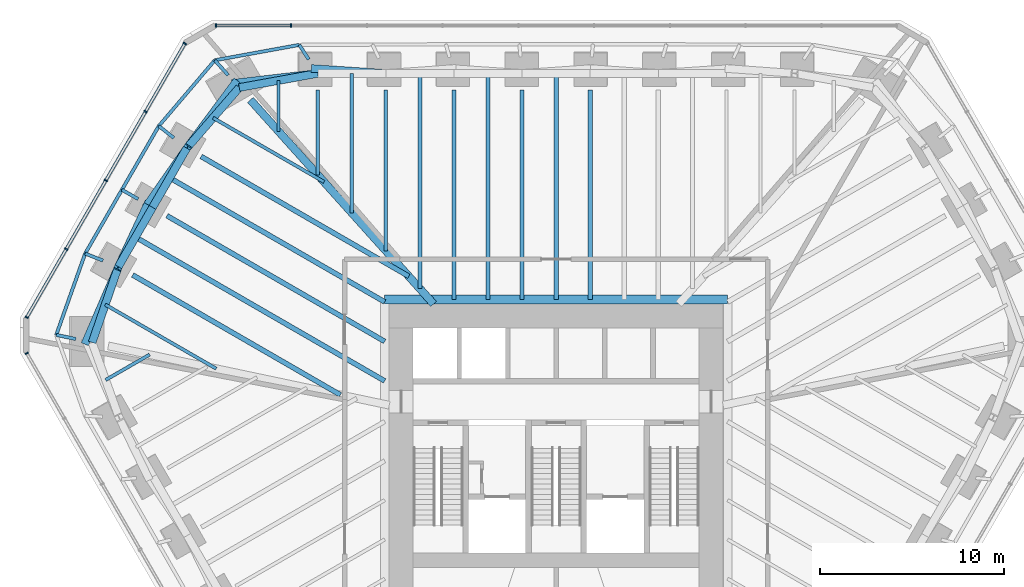
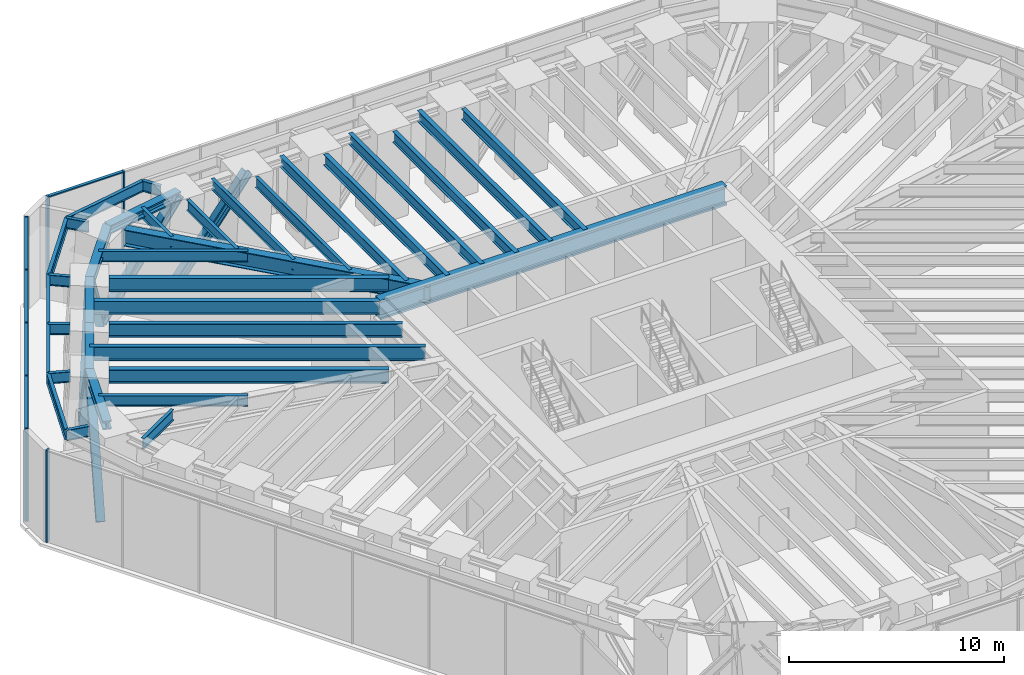
# One storey, part 6 of 12: 36 beams, 19 members, 3 elements without a shape of their own.
"""IFC4 building model written with IfcOpenShell, lengths in metres."""

from ifc_helpers import new_model, si_unit, direction, frame, origin, origin_2d, place, context, subcontext, project, spatial, rectangle, i_section, extrude, material, material_profile, profile_set, type_object, element, aggregate, save


model = new_model("IFC4")

# Units and contexts
model_context = context("Model", 3, precision=1e-05, world=origin(), true_north=direction((0.0, 1.0)))
body_context = subcontext(model_context, "Body", "Model", "MODEL_VIEW")
ifc_project = project(units=[si_unit("LENGTHUNIT", "METRE"), si_unit("AREAUNIT", "SQUARE_METRE"), si_unit("VOLUMEUNIT", "CUBIC_METRE"), si_unit("PLANEANGLEUNIT", "RADIAN"), si_unit("MASSUNIT", "GRAM", prefix="KILO")], contexts=[model_context])

# Site, building, storey
site_placement = place(None, origin())
site = spatial("IfcSite", under=ifc_project, at=site_placement, CompositionType="ELEMENT")
building_placement = place(site_placement, origin())
building = spatial("IfcBuilding", under=site, at=building_placement, Name="Sandreach Pilgrim Tower", CompositionType="ELEMENT")
storey_placement = place(building_placement, frame((0.0, 0.0, 172.800048828125)))
storey = spatial("IfcBuildingStorey", under=building, at=storey_placement, Name="L43", CompositionType="ELEMENT", Elevation=172.800048828125)

# Beams
ifc_material_1 = material(Name="Steel ASTM A913 Grade 65", Category="steel")
ifc_material_profile_1 = material_profile(ifc_material_1, i_section(OverallWidth=0.4267578125, OverallDepth=0.482666015625, WebThickness=0.05126953125, FlangeThickness=0.08154296875, at=origin_2d()), Name="W14X455")
ifc_profile_set_1 = profile_set([ifc_material_profile_1], Name="Steel ASTM A913 Grade 65")
beam_type_1 = type_object("IfcBeamType", Name="Belt truss chord W14X455", PredefinedType="BEAM", material=ifc_profile_set_1)
beam_1_placement = place(storey_placement, frame((-25.156494140625, 5.311279296875, 4.99853515625), z_axis=(0.326940800053, 0.945044820768, 0.0), x_axis=(-0.945044820768, 0.326940800053, 0.0)))
element("IfcBeam", 1, at=beam_1_placement, inside=storey, type_object=beam_type_1, Name="BM L43 BTT35", PredefinedType="BEAM", context=body_context, shape_type="SweptSolid", body=[
    extrude(i_section(OverallWidth=0.4267578125, OverallDepth=0.482666015625, WebThickness=0.05126953125, FlangeThickness=0.08154296875, at=origin_2d()), origin(), (0.0, 0.0, 1.0), 4.3466796875),
])
for number, where, z_axis, x_axis, name in (
    (2, (-23.7353515625, 9.419189453125, 4.99853515625), (0.499946491854, 0.866056294523, 0.0), (-0.866056294523, 0.499946491854, 0.0), "BM L43 BTT36"),
    (3, (-21.88037109375, 12.632568359375, 4.99853515625), (0.499995842751, 0.86602780396, 0.0), (-0.86602780396, 0.499995842751, 0.0), "BM L43 BTT37"),
):
    element("IfcBeam", number, at=place(storey_placement, frame(where, z_axis=z_axis, x_axis=x_axis)), inside=storey, type_object=beam_type_1, Name=name, PredefinedType="BEAM", context=body_context, shape_type="SweptSolid", body=[
        extrude(i_section(OverallWidth=0.4267578125, OverallDepth=0.482666015625, WebThickness=0.05126953125, FlangeThickness=0.08154296875, at=origin_2d()), origin(), (0.0, 0.0, 1.0), 3.71044921875),
    ])
beam_2_placement = place(storey_placement, frame((-20.025146484375, 15.845947265625, 4.99853515625), z_axis=(0.65499040715, 0.755637192402, 0.0), x_axis=(-0.755637192402, 0.65499040715, 0.0)))
element("IfcBeam", 4, at=beam_2_placement, inside=storey, type_object=beam_type_1, Name="BM L43 BTT38", PredefinedType="BEAM", context=body_context, shape_type="SweptSolid", body=[
    extrude(i_section(OverallWidth=0.4267578125, OverallDepth=0.482666015625, WebThickness=0.05126953125, FlangeThickness=0.08154296875, at=origin_2d()), origin(), (0.0, 0.0, 1.0), 4.346923828125),
])
beam_3_placement = place(storey_placement, frame((-17.177978515625, 19.130615234375, 4.99853515625), z_axis=(0.984030345637, 0.178000783326, 0.0), x_axis=(-0.178000783326, 0.984030345637, 0.0)))
element("IfcBeam", 5, at=beam_3_placement, inside=storey, type_object=beam_type_1, Name="BM L43 BTT39", PredefinedType="BEAM", context=body_context, shape_type="SweptSolid", body=[
    extrude(i_section(OverallWidth=0.4267578125, OverallDepth=0.482666015625, WebThickness=0.05126953125, FlangeThickness=0.08154296875, at=origin_2d()), origin(), (0.0, 0.0, 1.0), 4.3232421875),
])

# Members
ifc_material_2 = material(Name="Steel ASTM A913 Grade 65", Category="steel")
ifc_material_profile_2 = material_profile(ifc_material_2, i_section(OverallWidth=0.419189453125, OverallDepth=0.45458984375, WebThickness=0.042236328125, FlangeThickness=0.067626953125, at=origin_2d()), Name="W14X370")
ifc_profile_set_2 = profile_set([ifc_material_profile_2], Name="Steel ASTM A913 Grade 65")
member_type_1 = type_object("IfcMemberType", Name="Belt truss diagonal W14X370", PredefinedType="BRACE", material=ifc_profile_set_2)
member_1_placement = place(storey_placement, frame((-13.089599609375, 20.155517578125, -0.4013671875), z_axis=(0.580940509165, -0.038449998265, 0.813037343819), x_axis=(0.066041285014, 0.997816891355, 0.0)))
element("IfcMember", 6, at=member_1_placement, inside=storey, type_object=member_type_1, Name="Belt truss diagonal L43 bay 01", PredefinedType="BRACE", context=body_context, shape_type="SweptSolid", body=[
    extrude(i_section(OverallWidth=0.419189453125, OverallDepth=0.45458984375, WebThickness=0.042236328125, FlangeThickness=0.067626953125, at=origin_2d()), origin(), (0.0, 0.0, 1.0), 6.6416015625),
])
member_2_placement = place(storey_placement, frame((-25.482177734375, 5.380126953125, -0.4013671875), z_axis=(0.250766618955, 0.579829901327, 0.775186034668), x_axis=(-0.91784010131, 0.396950309772, 0.0)))
element("IfcMember", 7, at=member_2_placement, inside=storey, type_object=member_type_1, Name="Belt truss diagonal L43 bay 35", PredefinedType="BRACE", context=body_context, shape_type="SweptSolid", body=[
    extrude(i_section(OverallWidth=0.419189453125, OverallDepth=0.45458984375, WebThickness=0.042236328125, FlangeThickness=0.067626953125, at=origin_2d()), origin(), (0.0, 0.0, 1.0), 6.966064453125),
])
for number, where, z_axis, x_axis, name in (
    (8, (-23.7353515625, 9.419189453125, 4.99853515625), (0.240656779722, 0.514214981232, -0.823205483127), (-0.905717002036, 0.423882899187, 0.0), "Belt truss diagonal L43 bay 36"),
    (9, (-22.15673828125, 12.792236328125, -0.4013671875), (0.324959751213, 0.465536200684, 0.823211519565), (-0.819988852608, 0.572379490896, 0.0), "Belt truss diagonal L43 bay 37"),
):
    element("IfcMember", number, at=place(storey_placement, frame(where, z_axis=z_axis, x_axis=x_axis)), inside=storey, type_object=member_type_1, Name=name, PredefinedType="BRACE", context=body_context, shape_type="SweptSolid", body=[
        extrude(i_section(OverallWidth=0.419189453125, OverallDepth=0.45458984375, WebThickness=0.042236328125, FlangeThickness=0.067626953125, at=origin_2d()), origin(), (0.0, 0.0, 1.0), 6.5595703125),
    ])
member_3_placement = place(storey_placement, frame((-20.025146484375, 15.845947265625, 4.99853515625), z_axis=(0.376796214159, 0.50706795893, -0.775181719354), x_axis=(-0.802655062656, 0.596443501425, 0.0)))
element("IfcMember", 10, at=member_3_placement, inside=storey, type_object=member_type_1, Name="Belt truss diagonal L43 bay 38", PredefinedType="BRACE", context=body_context, shape_type="SweptSolid", body=[
    extrude(i_section(OverallWidth=0.419189453125, OverallDepth=0.45458984375, WebThickness=0.042236328125, FlangeThickness=0.067626953125, at=origin_2d()), origin(), (0.0, 0.0, 1.0), 6.966064453125),
])
member_4_placement = place(storey_placement, frame((-17.400390625, 19.378173828125, -0.4013671875), z_axis=(0.636457271189, 0.074211695343, 0.767733525532), x_axis=(-0.115816567601, 0.993270619051, 0.0)))
element("IfcMember", 11, at=member_4_placement, inside=storey, type_object=member_type_1, Name="Belt truss diagonal L43 bay 39", PredefinedType="BRACE", context=body_context, shape_type="SweptSolid", body=[
    extrude(i_section(OverallWidth=0.419189453125, OverallDepth=0.45458984375, WebThickness=0.042236328125, FlangeThickness=0.067626953125, at=origin_2d()), origin(), (0.0, 0.0, 1.0), 7.033447265625),
])

# Curtain wall, members
ifc_material_3 = material(Name="Aluminium framed curtain wall", Category="aluminium")
curtain_wall_type = type_object("IfcCurtainWallType", Name="Plant storey louvred curtain wall", PredefinedType="NOTDEFINED", material=ifc_material_3)
curtain_wall_1_placement = place(storey_placement, origin())
curtain_wall_1 = element("IfcCurtainWall", 12, at=curtain_wall_1_placement, inside=storey, type_object=curtain_wall_type, Name="CW-L L43 N", PredefinedType="NOTDEFINED")
ifc_material_4 = material(Name="Aluminium extrusion", Category="aluminium")
ifc_material_profile_3 = material_profile(ifc_material_4, rectangle(XDim=0.080078125, YDim=0.199951171875, at=origin_2d()), Name="CW-LM 80X200")
ifc_profile_set_3 = profile_set([ifc_material_profile_3], Name="Aluminium extrusion")
member_type_2 = type_object("IfcMemberType", Name="CW-L mullion", PredefinedType="MULLION", material=ifc_profile_set_3)
member_5_placement = place(storey_placement, frame((-18.44140625, 22.493896484375, 0.0), z_axis=(0.0, 0.0, 1.0), x_axis=(1.0, 0.0, 0.0)))
member_5 = element("IfcMember", 13, at=member_5_placement, type_object=member_type_2, Name="CW-L mullion 1", PredefinedType="MULLION", context=body_context, shape_type="SweptSolid", body=[
    extrude(rectangle(XDim=0.080078125, YDim=0.199951171875, at=origin_2d()), origin(), (0.0, 0.0, 1.0), 5.239990234375),
])
member_6_placement = place(storey_placement, frame((-14.37451171875, 22.493896484375, 0.0), z_axis=(0.0, 0.0, 1.0), x_axis=(1.0, 0.0, 0.0)))
member_6 = element("IfcMember", 14, at=member_6_placement, type_object=member_type_2, Name="CW-L mullion 2", PredefinedType="MULLION", context=body_context, shape_type="SweptSolid", body=[
    extrude(rectangle(XDim=0.080078125, YDim=0.199951171875, at=origin_2d()), origin(), (0.0, 0.0, 1.0), 5.239990234375),
])

# Curtain wall, member
curtain_wall_2_placement = place(storey_placement, origin())
curtain_wall_2 = element("IfcCurtainWall", 15, at=curtain_wall_2_placement, inside=storey, type_object=curtain_wall_type, Name="CW-L L43 SW", PredefinedType="NOTDEFINED")
member_7_placement = place(storey_placement, frame((-28.700927734375, 4.723876953125, 0.0), z_axis=(0.0, 0.0, 1.0), x_axis=(-0.5, 0.866025403784, 0.0)))
member_7 = element("IfcMember", 16, at=member_7_placement, type_object=member_type_2, Name="CW-L mullion 10", PredefinedType="MULLION", context=body_context, shape_type="SweptSolid", body=[
    extrude(rectangle(XDim=0.080078125, YDim=0.199951171875, at=origin_2d()), origin(), (0.0, 0.0, 1.0), 5.239990234375),
])
aggregate(curtain_wall_2, [member_7])

# Curtain wall, members
curtain_wall_3_placement = place(storey_placement, origin())
curtain_wall_3 = element("IfcCurtainWall", 17, at=curtain_wall_3_placement, inside=storey, type_object=curtain_wall_type, Name="CW-L L43 NW", PredefinedType="NOTDEFINED")
member_8_placement = place(storey_placement, frame((-28.700927734375, 6.673095703125, 0.0), z_axis=(0.0, 0.0, 1.0), x_axis=(0.5, 0.866025403784, 0.0)))
member_8 = element("IfcMember", 18, at=member_8_placement, type_object=member_type_2, Name="CW-L mullion 1", PredefinedType="MULLION", context=body_context, shape_type="SweptSolid", body=[
    extrude(rectangle(XDim=0.080078125, YDim=0.199951171875, at=origin_2d()), origin(), (0.0, 0.0, 1.0), 5.239990234375),
])
member_9_placement = place(storey_placement, frame((-26.568115234375, 10.3671875, 0.0), z_axis=(0.0, 0.0, 1.0), x_axis=(0.5, 0.866025403784, 0.0)))
member_9 = element("IfcMember", 19, at=member_9_placement, type_object=member_type_2, Name="CW-L mullion 2", PredefinedType="MULLION", context=body_context, shape_type="SweptSolid", body=[
    extrude(rectangle(XDim=0.080078125, YDim=0.199951171875, at=origin_2d()), origin(), (0.0, 0.0, 1.0), 5.239990234375),
])
member_10_placement = place(storey_placement, frame((-24.415283203125, 14.09619140625, 0.0), z_axis=(0.0, 0.0, 1.0), x_axis=(0.5, 0.866025403784, 0.0)))
member_10 = element("IfcMember", 20, at=member_10_placement, type_object=member_type_2, Name="CW-L mullion 3", PredefinedType="MULLION", context=body_context, shape_type="SweptSolid", body=[
    extrude(rectangle(XDim=0.080078125, YDim=0.199951171875, at=origin_2d()), origin(), (0.0, 0.0, 1.0), 5.239990234375),
])
member_11_placement = place(storey_placement, frame((-22.262451171875, 17.824951171875, 0.0), z_axis=(0.0, 0.0, 1.0), x_axis=(0.5, 0.866025403784, 0.0)))
member_11 = element("IfcMember", 21, at=member_11_placement, type_object=member_type_2, Name="CW-L mullion 4", PredefinedType="MULLION", context=body_context, shape_type="SweptSolid", body=[
    extrude(rectangle(XDim=0.080078125, YDim=0.199951171875, at=origin_2d()), origin(), (0.0, 0.0, 1.0), 5.239990234375),
])
member_12_placement = place(storey_placement, frame((-20.12939453125, 21.51904296875, 0.0), z_axis=(0.0, 0.0, 1.0), x_axis=(0.5, 0.866025403784, 0.0)))
member_12 = element("IfcMember", 22, at=member_12_placement, type_object=member_type_2, Name="CW-L mullion 5", PredefinedType="MULLION", context=body_context, shape_type="SweptSolid", body=[
    extrude(rectangle(XDim=0.080078125, YDim=0.199951171875, at=origin_2d()), origin(), (0.0, 0.0, 1.0), 5.239990234375),
])

# Member
ifc_material_5 = material(Name="Aluminium extrusion", Category="aluminium")
ifc_material_profile_4 = material_profile(ifc_material_5, rectangle(XDim=0.159912109375, YDim=0.070068359375, at=origin_2d()), Name="CW-LT 160X70")
ifc_profile_set_4 = profile_set([ifc_material_profile_4], Name="Aluminium extrusion")
member_type_3 = type_object("IfcMemberType", Name="CW-L transom", PredefinedType="USERDEFINED", material=ifc_profile_set_4)
member_13_placement = place(storey_placement, frame((-18.4013671875, 22.493896484375, 5.204833984375), z_axis=(1.0, 0.0, 0.0), x_axis=(0.0, 1.0, 0.0)))
member_13 = element("IfcMember", 23, at=member_13_placement, type_object=member_type_3, Name="CW-L head transom 1", ObjectType="TRANSOM", PredefinedType="USERDEFINED", context=body_context, shape_type="SweptSolid", body=[
    extrude(rectangle(XDim=0.159912109375, YDim=0.070068359375, at=origin_2d()), origin(), (0.0, 0.0, 1.0), 3.987060546875),
])

aggregate(curtain_wall_1, [member_5, member_6, member_13])

member_14_placement = place(storey_placement, frame((-28.680908203125, 6.707763671875, 5.204833984375), z_axis=(0.500003523994, 0.866023369196, 0.0), x_axis=(-0.866023369196, 0.500003523994, 0.0)))
member_14 = element("IfcMember", 24, at=member_14_placement, type_object=member_type_3, Name="CW-L head transom 1", ObjectType="TRANSOM", PredefinedType="USERDEFINED", context=body_context, shape_type="SweptSolid", body=[
    extrude(rectangle(XDim=0.159912109375, YDim=0.070068359375, at=origin_2d()), origin(), (0.0, 0.0, 1.0), 4.185546875),
])

member_15_placement = place(storey_placement, frame((-26.548095703125, 10.40185546875, 5.204833984375), z_axis=(0.499979177903, 0.866037425094, 0.0), x_axis=(-0.866037425094, 0.499979177903, 0.0)))
member_15 = element("IfcMember", 25, at=member_15_placement, type_object=member_type_3, Name="CW-L head transom 2", ObjectType="TRANSOM", PredefinedType="USERDEFINED", context=body_context, shape_type="SweptSolid", body=[
    extrude(rectangle(XDim=0.159912109375, YDim=0.070068359375, at=origin_2d()), origin(), (0.0, 0.0, 1.0), 4.225830078125),
])

member_16_placement = place(storey_placement, frame((-24.395263671875, 14.130859375, 5.204833984375), z_axis=(0.500047526083, 0.865997962849, 0.0), x_axis=(-0.865997962849, 0.500047526083, 0.0)))
member_16 = element("IfcMember", 26, at=member_16_placement, type_object=member_type_3, Name="CW-L head transom 3", ObjectType="TRANSOM", PredefinedType="USERDEFINED", context=body_context, shape_type="SweptSolid", body=[
    extrude(rectangle(XDim=0.159912109375, YDim=0.070068359375, at=origin_2d()), origin(), (0.0, 0.0, 1.0), 4.2255859375),
])

member_17_placement = place(storey_placement, frame((-22.242431640625, 17.859619140625, 5.204833984375), z_axis=(0.500022011907, 0.866012694831, 0.0), x_axis=(-0.866012694831, 0.500022011907, 0.0)))
member_17 = element("IfcMember", 27, at=member_17_placement, type_object=member_type_3, Name="CW-L head transom 4", ObjectType="TRANSOM", PredefinedType="USERDEFINED", context=body_context, shape_type="SweptSolid", body=[
    extrude(rectangle(XDim=0.159912109375, YDim=0.070068359375, at=origin_2d()), origin(), (0.0, 0.0, 1.0), 4.185791015625),
])

aggregate(curtain_wall_3, [member_8, member_9, member_10, member_11, member_12, member_14, member_15, member_16, member_17])

# Beams
ifc_material_6 = material(Name="Steel ASTM A992 Grade 50", Category="steel")
ifc_material_profile_5 = material_profile(ifc_material_6, i_section(OverallWidth=0.472412109375, OverallDepth=1.0947265625, WebThickness=0.07666015625, FlangeThickness=0.114990234375, at=origin_2d()), Name="W36X925")
ifc_profile_set_5 = profile_set([ifc_material_profile_5], Name="Steel ASTM A992 Grade 50")
beam_type_2 = type_object("IfcBeamType", Name="Core edge beam W36X925", PredefinedType="BEAM", material=ifc_profile_set_5)
beam_4_placement = place(storey_placement, frame((-9.296142578125, 7.646240234375, 4.692626953125), z_axis=(1.0, 0.0, 0.0), x_axis=(0.0, 1.0, 0.0)))
element("IfcBeam", 28, at=beam_4_placement, inside=storey, type_object=beam_type_2, Name="BM L43 CEN", PredefinedType="BEAM", context=body_context, shape_type="SweptSolid", body=[
    extrude(i_section(OverallWidth=0.472412109375, OverallDepth=1.0947265625, WebThickness=0.07666015625, FlangeThickness=0.114990234375, at=origin_2d()), origin(), (0.0, 0.0, 1.0), 18.59228515625),
])
ifc_material_7 = material(Name="Steel ASTM A992 Grade 50", Category="steel")
ifc_material_profile_6 = material_profile(ifc_material_7, i_section(OverallWidth=0.421630859375, OverallDepth=0.937255859375, WebThickness=0.0224609375, FlangeThickness=0.039794921875, at=origin_2d()), Name="W36X282")
ifc_profile_set_6 = profile_set([ifc_material_profile_6], Name="Steel ASTM A992 Grade 50")
beam_type_3 = type_object("IfcBeamType", Name="Corner girder W36X282", PredefinedType="BEAM", material=ifc_profile_set_6)
beam_5_placement = place(storey_placement, frame((-16.57666015625, 18.4609375, 4.771240234375), z_axis=(0.668107746157, -0.744064539893, 0.0), x_axis=(0.744064539893, 0.668107746157, 0.0)))
element("IfcBeam", 29, at=beam_5_placement, inside=storey, type_object=beam_type_3, Name="BM L43 CG39", PredefinedType="BEAM", context=body_context, shape_type="SweptSolid", body=[
    extrude(i_section(OverallWidth=0.421630859375, OverallDepth=0.937255859375, WebThickness=0.0224609375, FlangeThickness=0.039794921875, at=origin_2d()), origin(), (0.0, 0.0, 1.0), 14.86572265625),
])
ifc_material_8 = material(Name="Steel ASTM A992 Grade 50", Category="steel")
ifc_material_profile_7 = material_profile(ifc_material_8, i_section(OverallWidth=0.1787109375, OverallDepth=0.60205078125, WebThickness=0.010986328125, FlangeThickness=0.014892578125, at=origin_2d()), Name="W24X62")
ifc_profile_set_7 = profile_set([ifc_material_profile_7], Name="Steel ASTM A992 Grade 50")
beam_type_4 = type_object("IfcBeamType", Name="Floor beam W24X62", PredefinedType="BEAM", material=ifc_profile_set_7)
beam_6_placement = place(storey_placement, frame((-12.923828125, 19.0, 4.93896484375), z_axis=(0.0, -1.0, 0.0), x_axis=(1.0, 0.0, 0.0)))
element("IfcBeam", 30, at=beam_6_placement, inside=storey, type_object=beam_type_4, Name="BM L43 F01", PredefinedType="BEAM", context=body_context, shape_type="SweptSolid", body=[
    extrude(i_section(OverallWidth=0.1787109375, OverallDepth=0.60205078125, WebThickness=0.010986328125, FlangeThickness=0.014892578125, at=origin_2d()), origin(), (0.0, 0.0, 1.0), 4.607421875),
])
beam_7_placement = place(storey_placement, frame((-9.231201171875, 19.0, 4.93896484375), z_axis=(0.0, -1.0, 0.0), x_axis=(1.0, 0.0, 0.0)))
element("IfcBeam", 31, at=beam_7_placement, inside=storey, type_object=beam_type_4, Name="BM L43 F02", PredefinedType="BEAM", context=body_context, shape_type="SweptSolid", body=[
    extrude(i_section(OverallWidth=0.1787109375, OverallDepth=0.60205078125, WebThickness=0.010986328125, FlangeThickness=0.014892578125, at=origin_2d()), origin(), (0.0, 0.0, 1.0), 8.719482421875),
])
beam_8_placement = place(storey_placement, frame((-11.077392578125, 19.900146484375, 4.93896484375), z_axis=(0.0, -1.0, 0.0), x_axis=(1.0, 0.0, 0.0)))
element("IfcBeam", 32, at=beam_8_placement, inside=storey, type_object=beam_type_4, Name="BM L43 FM01", PredefinedType="BEAM", context=body_context, shape_type="SweptSolid", body=[
    extrude(i_section(OverallWidth=0.1787109375, OverallDepth=0.60205078125, WebThickness=0.010986328125, FlangeThickness=0.014892578125, at=origin_2d()), origin(), (0.0, 0.0, 1.0), 7.563720703125),
])
beam_9_placement = place(storey_placement, frame((-24.42626953125, 3.27685546875, 4.93896484375), z_axis=(0.866046803606, 0.49996293259, 0.0), x_axis=(-0.49996293259, 0.866046803606, 0.0)))
element("IfcBeam", 33, at=beam_9_placement, inside=storey, type_object=beam_type_4, Name="BM L43 FM34", PredefinedType="BEAM", context=body_context, shape_type="SweptSolid", body=[
    extrude(i_section(OverallWidth=0.1787109375, OverallDepth=0.60205078125, WebThickness=0.010986328125, FlangeThickness=0.014892578125, at=origin_2d()), origin(), (0.0, 0.0, 1.0), 2.753662109375),
])
for number, where, z_axis, x_axis, name in (
    (34, (-24.446044921875, 7.365234375, 4.93896484375), (0.866029381593, -0.499993110171, 0.0), (0.499993110171, 0.866029381593, 0.0), "BM L43 FM35"),
    (35, (-18.6015625, 17.48828125, 4.93896484375), (0.866029381593, -0.499993110171, 0.0), (0.499993110171, 0.866029381593, 0.0), "BM L43 FM38"),
):
    element("IfcBeam", number, at=place(storey_placement, frame(where, z_axis=z_axis, x_axis=x_axis)), inside=storey, type_object=beam_type_4, Name=name, PredefinedType="BEAM", context=body_context, shape_type="SweptSolid", body=[
        extrude(i_section(OverallWidth=0.1787109375, OverallDepth=0.60205078125, WebThickness=0.010986328125, FlangeThickness=0.014892578125, at=origin_2d()), origin(), (0.0, 0.0, 1.0), 6.94921875),
    ])
beam_10_placement = place(storey_placement, frame((-15.05078125, 19.515380859375, 4.93896484375), z_axis=(0.0, -1.0, 0.0), x_axis=(1.0, 0.0, 0.0)))
element("IfcBeam", 36, at=beam_10_placement, inside=storey, type_object=beam_type_4, Name="BM L43 FM39", PredefinedType="BEAM", context=body_context, shape_type="SweptSolid", body=[
    extrude(i_section(OverallWidth=0.1787109375, OverallDepth=0.60205078125, WebThickness=0.010986328125, FlangeThickness=0.014892578125, at=origin_2d()), origin(), (0.0, 0.0, 1.0), 2.75390625),
])
ifc_material_9 = material(Name="Steel ASTM A992 Grade 50", Category="steel")
ifc_material_profile_8 = material_profile(ifc_material_9, i_section(OverallWidth=0.23046875, OverallDepth=0.6171875, WebThickness=0.01318359375, FlangeThickness=0.022216796875, at=origin_2d()), Name="W24X94")
ifc_profile_set_8 = profile_set([ifc_material_profile_8], Name="Steel ASTM A992 Grade 50")
beam_type_5 = type_object("IfcBeamType", Name="Floor beam W24X94", PredefinedType="BEAM", material=ifc_profile_set_8)
for number, where, z_axis, x_axis, name in (
    (37, (-5.538818359375, 19.0, 4.931396484375), (0.0, -1.0, 0.0), (1.0, 0.0, 0.0), "BM L43 F03"),
    (38, (-1.84619140625, 19.0, 4.931396484375), (0.0, -1.0, 0.0), (1.0, 0.0, 0.0), "BM L43 F04"),
    (39, (1.84619140625, 19.0, 4.931396484375), (0.0, -1.0, 0.0), (1.0, 0.0, 0.0), "BM L43 F05"),
):
    element("IfcBeam", number, at=place(storey_placement, frame(where, z_axis=z_axis, x_axis=x_axis)), inside=storey, type_object=beam_type_5, Name=name, PredefinedType="BEAM", context=body_context, shape_type="SweptSolid", body=[
        extrude(i_section(OverallWidth=0.23046875, OverallDepth=0.6171875, WebThickness=0.01318359375, FlangeThickness=0.022216796875, at=origin_2d()), origin(), (0.0, 0.0, 1.0), 11.353759765625),
    ])
beam_11_placement = place(storey_placement, frame((-7.385009765625, 19.900146484375, 4.931396484375), z_axis=(0.0, -1.0, 0.0), x_axis=(1.0, 0.0, 0.0)))
element("IfcBeam", 40, at=beam_11_placement, inside=storey, type_object=beam_type_5, Name="BM L43 FM02", PredefinedType="BEAM", context=body_context, shape_type="SweptSolid", body=[
    extrude(i_section(OverallWidth=0.23046875, OverallDepth=0.6171875, WebThickness=0.01318359375, FlangeThickness=0.022216796875, at=origin_2d()), origin(), (0.0, 0.0, 1.0), 11.67578125),
])
for number, where, z_axis, x_axis, name in (
    (41, (-3.6923828125, 19.900146484375, 4.931396484375), (0.0, -1.0, 0.0), (1.0, 0.0, 0.0), "BM L43 FM03"),
    (42, (0.0, 19.900146484375, 4.931396484375), (0.0, -1.0, 0.0), (1.0, 0.0, 0.0), "BM L43 FM04"),
):
    element("IfcBeam", number, at=place(storey_placement, frame(where, z_axis=z_axis, x_axis=x_axis)), inside=storey, type_object=beam_type_5, Name=name, PredefinedType="BEAM", context=body_context, shape_type="SweptSolid", body=[
        extrude(i_section(OverallWidth=0.23046875, OverallDepth=0.6171875, WebThickness=0.01318359375, FlangeThickness=0.022216796875, at=origin_2d()), origin(), (0.0, 0.0, 1.0), 12.25390625),
    ])
ifc_material_10 = material(Name="Steel ASTM A992 Grade 50", Category="steel")
ifc_material_profile_9 = material_profile(ifc_material_10, i_section(OverallWidth=0.2666015625, OverallDepth=0.761962890625, WebThickness=0.014404296875, FlangeThickness=0.021484375, at=origin_2d()), Name="W30X116")
ifc_profile_set_9 = profile_set([ifc_material_profile_9], Name="Steel ASTM A992 Grade 50")
beam_type_6 = type_object("IfcBeamType", Name="Floor beam W30X116", PredefinedType="BEAM", material=ifc_profile_set_9)
beam_12_placement = place(storey_placement, frame((-22.9560546875, 8.96923828125, 4.85888671875), z_axis=(0.86602575807, -0.499999386358, 0.0), x_axis=(0.499999386358, 0.86602575807, 0.0)))
element("IfcBeam", 43, at=beam_12_placement, inside=storey, type_object=beam_type_6, Name="BM L43 F36", PredefinedType="BEAM", context=body_context, shape_type="SweptSolid", body=[
    extrude(i_section(OverallWidth=0.2666015625, OverallDepth=0.761962890625, WebThickness=0.014404296875, FlangeThickness=0.021484375, at=origin_2d()), origin(), (0.0, 0.0, 1.0), 12.99853515625),
])
beam_13_placement = place(storey_placement, frame((-21.100830078125, 12.1826171875, 4.85888671875), z_axis=(0.866025715684, -0.499999459775, 0.0), x_axis=(0.499999459775, 0.866025715684, 0.0)))
element("IfcBeam", 44, at=beam_13_placement, inside=storey, type_object=beam_type_6, Name="BM L43 F37", PredefinedType="BEAM", context=body_context, shape_type="SweptSolid", body=[
    extrude(i_section(OverallWidth=0.2666015625, OverallDepth=0.761962890625, WebThickness=0.014404296875, FlangeThickness=0.021484375, at=origin_2d()), origin(), (0.0, 0.0, 1.0), 13.630859375),
])
beam_14_placement = place(storey_placement, frame((-19.24560546875, 15.395751953125, 4.85888671875), z_axis=(0.866029195513, -0.499993432475, 0.0), x_axis=(0.499993432475, 0.866029195513, 0.0)))
element("IfcBeam", 45, at=beam_14_placement, inside=storey, type_object=beam_type_6, Name="BM L43 F38", PredefinedType="BEAM", context=body_context, shape_type="SweptSolid", body=[
    extrude(i_section(OverallWidth=0.2666015625, OverallDepth=0.761962890625, WebThickness=0.014404296875, FlangeThickness=0.021484375, at=origin_2d()), origin(), (0.0, 0.0, 1.0), 12.998291015625),
])
beam_15_placement = place(storey_placement, frame((-20.95263671875, 14.2392578125, 4.85888671875), z_axis=(0.866022172569, -0.500005596587, 0.0), x_axis=(0.500005596587, 0.866022172569, 0.0)))
element("IfcBeam", 46, at=beam_15_placement, inside=storey, type_object=beam_type_6, Name="BM L43 FM37", PredefinedType="BEAM", context=body_context, shape_type="SweptSolid", body=[
    extrude(i_section(OverallWidth=0.2666015625, OverallDepth=0.761962890625, WebThickness=0.014404296875, FlangeThickness=0.021484375, at=origin_2d()), origin(), (0.0, 0.0, 1.0), 13.459716796875),
])
ifc_material_11 = material(Name="Steel ASTM A992 Grade 50", Category="steel")
ifc_material_profile_10 = material_profile(ifc_material_11, i_section(OverallWidth=0.2666015625, OverallDepth=0.77978515625, WebThickness=0.0166015625, FlangeThickness=0.030029296875, at=origin_2d()), Name="W30X148")
ifc_profile_set_10 = profile_set([ifc_material_profile_10], Name="Steel ASTM A992 Grade 50")
beam_type_7 = type_object("IfcBeamType", Name="Floor beam W30X148", PredefinedType="BEAM", material=ifc_profile_set_10)
beam_16_placement = place(storey_placement, frame((-22.807861328125, 11.02587890625, 4.85009765625), z_axis=(0.866024545277, -0.500001486976, 0.0), x_axis=(0.500001486976, 0.866024545277, 0.0)))
element("IfcBeam", 47, at=beam_16_placement, inside=storey, type_object=beam_type_7, Name="BM L43 FM36", PredefinedType="BEAM", context=body_context, shape_type="SweptSolid", body=[
    extrude(i_section(OverallWidth=0.2666015625, OverallDepth=0.77978515625, WebThickness=0.0166015625, FlangeThickness=0.030029296875, at=origin_2d()), origin(), (0.0, 0.0, 1.0), 15.60205078125),
])
ifc_material_12 = material(Name="Steel ASTM A992 Grade 50", Category="steel")
ifc_material_profile_11 = material_profile(ifc_material_12, i_section(OverallWidth=0.1787109375, OverallDepth=0.60205078125, WebThickness=0.010986328125, FlangeThickness=0.014892578125, at=origin_2d()), Name="W24X62")
ifc_profile_set_11 = profile_set([ifc_material_profile_11], Name="Steel ASTM A992 Grade 50")
beam_type_8 = type_object("IfcBeamType", Name="Setback roof edge beam W24X62", PredefinedType="BEAM", material=ifc_profile_set_11)
beam_17_placement = place(storey_placement, frame((-27.101806640625, 5.72216796875, 4.89892578125), z_axis=(0.334925298122, 0.942244684081, 0.0), x_axis=(-0.942244684081, 0.334925298122, 0.0)))
element("IfcBeam", 48, at=beam_17_placement, inside=storey, type_object=beam_type_8, Name="BM L43 RE35", PredefinedType="BEAM", context=body_context, shape_type="SweptSolid", body=[
    extrude(i_section(OverallWidth=0.1787109375, OverallDepth=0.60205078125, WebThickness=0.010986328125, FlangeThickness=0.014892578125, at=origin_2d()), origin(), (0.0, 0.0, 1.0), 4.68115234375),
])
beam_18_placement = place(storey_placement, frame((-25.533935546875, 10.133056640625, 4.89892578125), z_axis=(0.499422362697, 0.86635864608, 0.0), x_axis=(-0.86635864608, 0.499422362697, 0.0)))
element("IfcBeam", 49, at=beam_18_placement, inside=storey, type_object=beam_type_8, Name="BM L43 RE36", PredefinedType="BEAM", context=body_context, shape_type="SweptSolid", body=[
    extrude(i_section(OverallWidth=0.1787109375, OverallDepth=0.60205078125, WebThickness=0.010986328125, FlangeThickness=0.014892578125, at=origin_2d()), origin(), (0.0, 0.0, 1.0), 3.991455078125),
])
beam_19_placement = place(storey_placement, frame((-23.54052734375, 13.591064453125, 4.89892578125), z_axis=(0.500558817583, 0.865702529822, 0.0), x_axis=(-0.865702529822, 0.500558817583, 0.0)))
element("IfcBeam", 50, at=beam_19_placement, inside=storey, type_object=beam_type_8, Name="BM L43 RE37", PredefinedType="BEAM", context=body_context, shape_type="SweptSolid", body=[
    extrude(i_section(OverallWidth=0.1787109375, OverallDepth=0.60205078125, WebThickness=0.010986328125, FlangeThickness=0.014892578125, at=origin_2d()), origin(), (0.0, 0.0, 1.0), 3.99169921875),
])
beam_20_placement = place(storey_placement, frame((-21.54248046875, 17.046630859375, 4.89892578125), z_axis=(0.648563831329, 0.761160270043, 0.0), x_axis=(-0.761160270043, 0.648563831329, 0.0)))
element("IfcBeam", 51, at=beam_20_placement, inside=storey, type_object=beam_type_8, Name="BM L43 RE38", PredefinedType="BEAM", context=body_context, shape_type="SweptSolid", body=[
    extrude(i_section(OverallWidth=0.1787109375, OverallDepth=0.60205078125, WebThickness=0.010986328125, FlangeThickness=0.014892578125, at=origin_2d()), origin(), (0.0, 0.0, 1.0), 4.681396484375),
])
beam_21_placement = place(storey_placement, frame((-18.50634765625, 20.60986328125, 4.89892578125), z_axis=(0.983843049295, 0.179033109658, 0.0), x_axis=(-0.179033109658, 0.983843049295, 0.0)))
element("IfcBeam", 52, at=beam_21_placement, inside=storey, type_object=beam_type_8, Name="BM L43 RE39", PredefinedType="BEAM", context=body_context, shape_type="SweptSolid", body=[
    extrude(i_section(OverallWidth=0.1787109375, OverallDepth=0.60205078125, WebThickness=0.010986328125, FlangeThickness=0.014892578125, at=origin_2d()), origin(), (0.0, 0.0, 1.0), 4.655517578125),
])
ifc_material_13 = material(Name="Steel ASTM A992 Grade 50", Category="steel")
ifc_material_profile_12 = material_profile(ifc_material_13, i_section(OverallWidth=0.1787109375, OverallDepth=0.60205078125, WebThickness=0.010986328125, FlangeThickness=0.014892578125, at=origin_2d()), Name="W24X62")
ifc_profile_set_12 = profile_set([ifc_material_profile_12], Name="Steel ASTM A992 Grade 50")
beam_type_9 = type_object("IfcBeamType", Name="Setback roof outlooker W24X62", PredefinedType="BEAM", material=ifc_profile_set_12)
beam_22_placement = place(storey_placement, frame((-13.413818359375, 20.65478515625, 4.89892578125), z_axis=(-0.544714541068, 0.838621528909, 0.0), x_axis=(-0.838621528909, -0.544714541068, 0.0)))
element("IfcBeam", 53, at=beam_22_placement, inside=storey, type_object=beam_type_9, Name="BM L43 OL01", PredefinedType="BEAM", context=body_context, shape_type="SweptSolid", body=[
    extrude(i_section(OverallWidth=0.1787109375, OverallDepth=0.60205078125, WebThickness=0.010986328125, FlangeThickness=0.014892578125, at=origin_2d()), origin(), (0.0, 0.0, 1.0), 0.9404296875),
])
beam_23_placement = place(storey_placement, frame((-26.037109375, 5.497314453125, 4.89892578125), z_axis=(-0.978418663161, 0.206632329459, 0.0), x_axis=(-0.206632329459, -0.978418663161, 0.0)))
element("IfcBeam", 54, at=beam_23_placement, inside=storey, type_object=beam_type_9, Name="BM L43 OL35", PredefinedType="BEAM", context=body_context, shape_type="SweptSolid", body=[
    extrude(i_section(OverallWidth=0.1787109375, OverallDepth=0.60205078125, WebThickness=0.010986328125, FlangeThickness=0.014892578125, at=origin_2d()), origin(), (0.0, 0.0, 1.0), 1.088134765625),
])
beam_24_placement = place(storey_placement, frame((-24.572021484375, 9.751220703125, 4.89892578125), z_axis=(-0.929449625575, 0.368949039188, 0.0), x_axis=(-0.368949039188, -0.929449625575, 0.0)))
element("IfcBeam", 55, at=beam_24_placement, inside=storey, type_object=beam_type_9, Name="BM L43 OL36", PredefinedType="BEAM", context=body_context, shape_type="SweptSolid", body=[
    extrude(i_section(OverallWidth=0.1787109375, OverallDepth=0.60205078125, WebThickness=0.010986328125, FlangeThickness=0.014892578125, at=origin_2d()), origin(), (0.0, 0.0, 1.0), 1.034912109375),
])
beam_25_placement = place(storey_placement, frame((-22.65966796875, 13.08251953125, 4.89892578125), z_axis=(-0.866033694824, 0.499985639223, 0.0), x_axis=(-0.499985639223, -0.866033694824, 0.0)))
element("IfcBeam", 56, at=beam_25_placement, inside=storey, type_object=beam_type_9, Name="BM L43 OL37", PredefinedType="BEAM", context=body_context, shape_type="SweptSolid", body=[
    extrude(i_section(OverallWidth=0.1787109375, OverallDepth=0.60205078125, WebThickness=0.010986328125, FlangeThickness=0.014892578125, at=origin_2d()), origin(), (0.0, 0.0, 1.0), 1.01708984375),
])
beam_26_placement = place(storey_placement, frame((-20.730712890625, 16.404296875, 4.89892578125), z_axis=(-0.7841940565, 0.620515657941, 0.0), x_axis=(-0.620515657941, -0.7841940565, 0.0)))
element("IfcBeam", 57, at=beam_26_placement, inside=storey, type_object=beam_type_9, Name="BM L43 OL38", PredefinedType="BEAM", context=body_context, shape_type="SweptSolid", body=[
    extrude(i_section(OverallWidth=0.1787109375, OverallDepth=0.60205078125, WebThickness=0.010986328125, FlangeThickness=0.014892578125, at=origin_2d()), origin(), (0.0, 0.0, 1.0), 1.03515625),
])
beam_27_placement = place(storey_placement, frame((-17.779296875, 19.80029296875, 4.89892578125), z_axis=(-0.668171001482, 0.744007737043, 0.0), x_axis=(-0.744007737043, -0.668171001482, 0.0)))
element("IfcBeam", 58, at=beam_27_placement, inside=storey, type_object=beam_type_9, Name="BM L43 OL39", PredefinedType="BEAM", context=body_context, shape_type="SweptSolid", body=[
    extrude(i_section(OverallWidth=0.1787109375, OverallDepth=0.60205078125, WebThickness=0.010986328125, FlangeThickness=0.014892578125, at=origin_2d()), origin(), (0.0, 0.0, 1.0), 1.088134765625),
])

save(model, "model.ifc")
